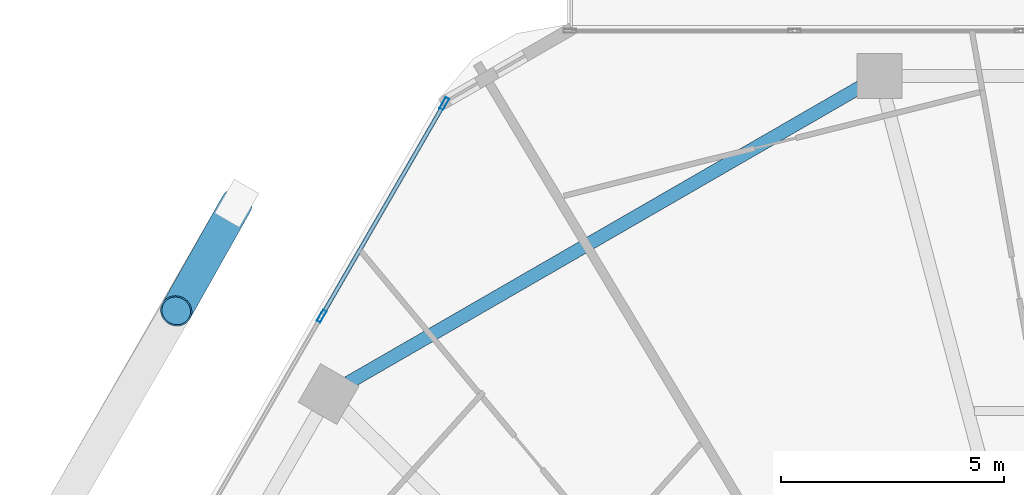
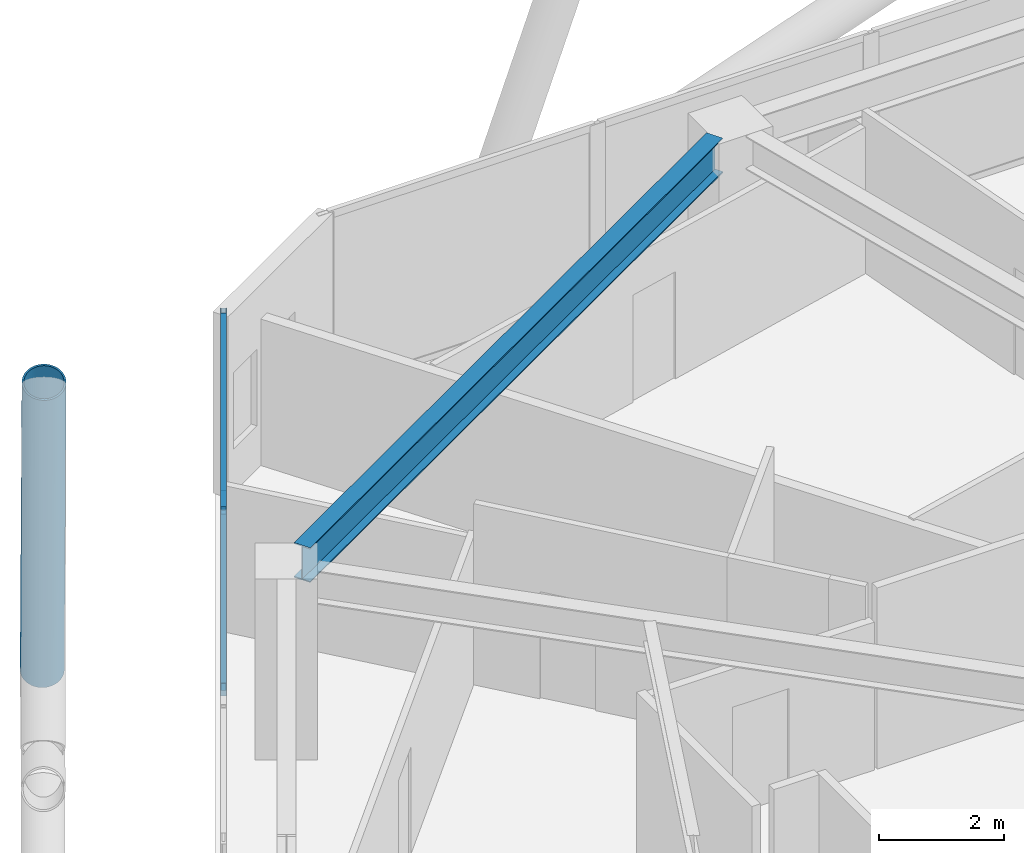
# One storey, part 13 of 29: 5 members, 1 beam, 1 element without a shape of its own.
"""IFC4 building model written with IfcOpenShell, lengths in metres."""

from ifc_helpers import new_model, si_unit, direction, frame, origin, origin_2d, place, context, subcontext, project, spatial, hollow_rectangle, hollow_circle, i_section, extrude, material, material_profile, profile_set, type_object, element, aggregate, save


model = new_model("IFC4")

# Units and contexts
model_context = context("Model", 3, precision=1e-05, world=origin(), true_north=direction((0.0, 1.0)))
body_context = subcontext(model_context, "Body", "Model", "MODEL_VIEW")
ifc_project = project(units=[si_unit("LENGTHUNIT", "METRE"), si_unit("AREAUNIT", "SQUARE_METRE"), si_unit("VOLUMEUNIT", "CUBIC_METRE"), si_unit("PLANEANGLEUNIT", "RADIAN"), si_unit("MASSUNIT", "GRAM", prefix="KILO")], contexts=[model_context])

# Site, building, storey
site_placement = place(None, origin())
site = spatial("IfcSite", under=ifc_project, at=site_placement, CompositionType="ELEMENT")
building_placement = place(site_placement, origin())
building = spatial("IfcBuilding", under=site, at=building_placement, Name="Zuhravey Tower", CompositionType="ELEMENT")
storey_placement = place(building_placement, frame((0.0, 0.0, 161.800048828125)))
storey = spatial("IfcBuildingStorey", under=building, at=storey_placement, Name="L40", CompositionType="ELEMENT", Elevation=161.800048828125)

# Curtain wall, members
ifc_material_1 = material(Name="Thermally broken anodised aluminium", Category="aluminium")
curtain_wall_type = type_object("IfcCurtainWallType", Name="Zone 1-2 Residential Curtain Wall CW3", PredefinedType="NOTDEFINED", material=ifc_material_1)
curtain_wall_placement = place(storey_placement, origin())
curtain_wall = element("IfcCurtainWall", 1, at=curtain_wall_placement, inside=storey, type_object=curtain_wall_type, Name="L40 CW3 CW-L40-F3-1", PredefinedType="NOTDEFINED")
ifc_material_2 = material(Name="Anodised aluminium", Category="aluminium")
ifc_material_profile_1 = material_profile(ifc_material_2, hollow_rectangle(XDim=0.090087890625, YDim=0.284912109375, WallThickness=0.0048828125, at=origin_2d()), Name="ALU-RHS-90x285x5")
ifc_profile_set_1 = profile_set([ifc_material_profile_1], Name="Anodised aluminium")
member_type_1 = type_object("IfcMemberType", Name="Curtain-Wall Mullion 90x180", PredefinedType="MULLION", material=ifc_profile_set_1)
member_1_placement = place(storey_placement, frame((16.6171875, 52.7939453125, 0.0), z_axis=(0.0, 0.0, 1.0), x_axis=(-0.866025138215, 0.500000459979, 0.0)))
member_1 = element("IfcMember", 2, at=member_1_placement, type_object=member_type_1, Name="CW3 mullion 5", PredefinedType="MULLION", context=body_context, shape_type="SweptSolid", body=[
    extrude(hollow_rectangle(XDim=0.090087890625, YDim=0.284912109375, WallThickness=0.0048828125, at=origin_2d()), origin(), (0.0, 0.0, 1.0), 3.550048828125),
])
member_2_placement = place(storey_placement, frame((19.36669921875, 57.556640625, 0.0), z_axis=(0.0, 0.0, 1.0), x_axis=(-0.866025138215, 0.500000459979, 0.0)))
member_2 = element("IfcMember", 3, at=member_2_placement, type_object=member_type_1, Name="CW3 mullion 6", PredefinedType="MULLION", context=body_context, shape_type="SweptSolid", body=[
    extrude(hollow_rectangle(XDim=0.090087890625, YDim=0.284912109375, WallThickness=0.0048828125, at=origin_2d()), origin(), (0.0, 0.0, 1.0), 3.550048828125),
])
ifc_material_profile_2 = material_profile(ifc_material_2, hollow_rectangle(XDim=0.090087890625, YDim=0.14990234375, WallThickness=0.0048828125, at=origin_2d()), Name="ALU-RHS-90x150x5")
ifc_profile_set_2 = profile_set([ifc_material_profile_2], Name="Anodised aluminium")
member_type_2 = type_object("IfcMemberType", Name="Curtain-Wall Transom 90x150", PredefinedType="USERDEFINED", material=ifc_profile_set_2)
member_3_placement = place(storey_placement, frame((16.6396484375, 52.8330078125, 0.044921875), z_axis=(0.499993332629, 0.866029253159, 0.0), x_axis=(-0.866029253159, 0.499993332629, 0.0)))
member_3 = element("IfcMember", 4, at=member_3_placement, type_object=member_type_2, Name="CW3 transom 5.1", ObjectType="TRANSOM", PredefinedType="USERDEFINED", context=body_context, shape_type="SweptSolid", body=[
    extrude(hollow_rectangle(XDim=0.090087890625, YDim=0.14990234375, WallThickness=0.0048828125, at=origin_2d()), origin(), (0.0, 0.0, 1.0), 5.4091796875),
])
member_4_placement = place(storey_placement, frame((16.6396484375, 52.8330078125, 3.5048828125), z_axis=(0.499993332629, 0.866029253159, 0.0), x_axis=(-0.866029253159, 0.499993332629, 0.0)))
member_4 = element("IfcMember", 5, at=member_4_placement, type_object=member_type_2, Name="CW3 transom 5.2", ObjectType="TRANSOM", PredefinedType="USERDEFINED", context=body_context, shape_type="SweptSolid", body=[
    extrude(hollow_rectangle(XDim=0.090087890625, YDim=0.14990234375, WallThickness=0.0048828125, at=origin_2d()), origin(), (0.0, 0.0, 1.0), 5.4091796875),
])
aggregate(curtain_wall, [member_1, member_2, member_3, member_4])

# Member
ifc_material_3 = material(Name="Steel SM460", Category="steel")
ifc_material_profile_3 = material_profile(ifc_material_3, hollow_circle(Radius=0.355712890625, WallThickness=0.031982421875, at=origin_2d()), Name="CHS-711.2x32")
ifc_profile_set_3 = profile_set([ifc_material_profile_3], Name="Steel SM460")
member_type_3 = type_object("IfcMemberType", Name="Exoskeleton Zone 2 Diagrid CHS711x32", PredefinedType="BRACE", material=ifc_profile_set_3)
member_5_placement = place(storey_placement, frame((14.71240234375, 55.31494140625, -0.444091796875), z_axis=(-0.16821244009, -0.298778056347, 0.939380779048), x_axis=(0.871388810392, -0.490593050424, 0.0)))
element("IfcMember", 6, at=member_5_placement, inside=storey, type_object=member_type_3, Name="L40 Face 3 Diagrid Brace 1", PredefinedType="BRACE", context=body_context, shape_type="SweptSolid", body=[
    extrude(hollow_circle(Radius=0.355712890625, WallThickness=0.031982421875, at=origin_2d()), origin(), (0.0, 0.0, 1.0), 8.0478515625),
])

# Beam
ifc_material_4 = material(Name="Steel SM355", Category="steel")
ifc_material_profile_4 = material_profile(ifc_material_4, i_section(OverallWidth=0.300048828125, OverallDepth=0.679931640625, WebThickness=0.012939453125, FlangeThickness=0.02197265625, at=origin_2d()), Name="H-680x300x13x22")
ifc_profile_set_4 = profile_set([ifc_material_profile_4], Name="Steel SM355")
beam_type = type_object("IfcBeamType", Name="Perimeter Ring Beam H680x300", PredefinedType="BEAM", material=ifc_profile_set_4)
beam_placement = place(storey_placement, frame((28.682373046875, 57.921630859375, 3.2099609375), z_axis=(-0.866022923061, -0.500004296715, 0.0), x_axis=(0.500004296715, -0.866022923061, 0.0)))
element("IfcBeam", 7, at=beam_placement, inside=storey, type_object=beam_type, Name="L40 PB2 BM-L40-PB-04", PredefinedType="BEAM", context=body_context, shape_type="SweptSolid", body=[
    extrude(i_section(OverallWidth=0.300048828125, OverallDepth=0.679931640625, WebThickness=0.012939453125, FlangeThickness=0.02197265625, at=origin_2d()), origin(), (0.0, 0.0, 1.0), 13.2470703125),
])

save(model, "model.ifc")
